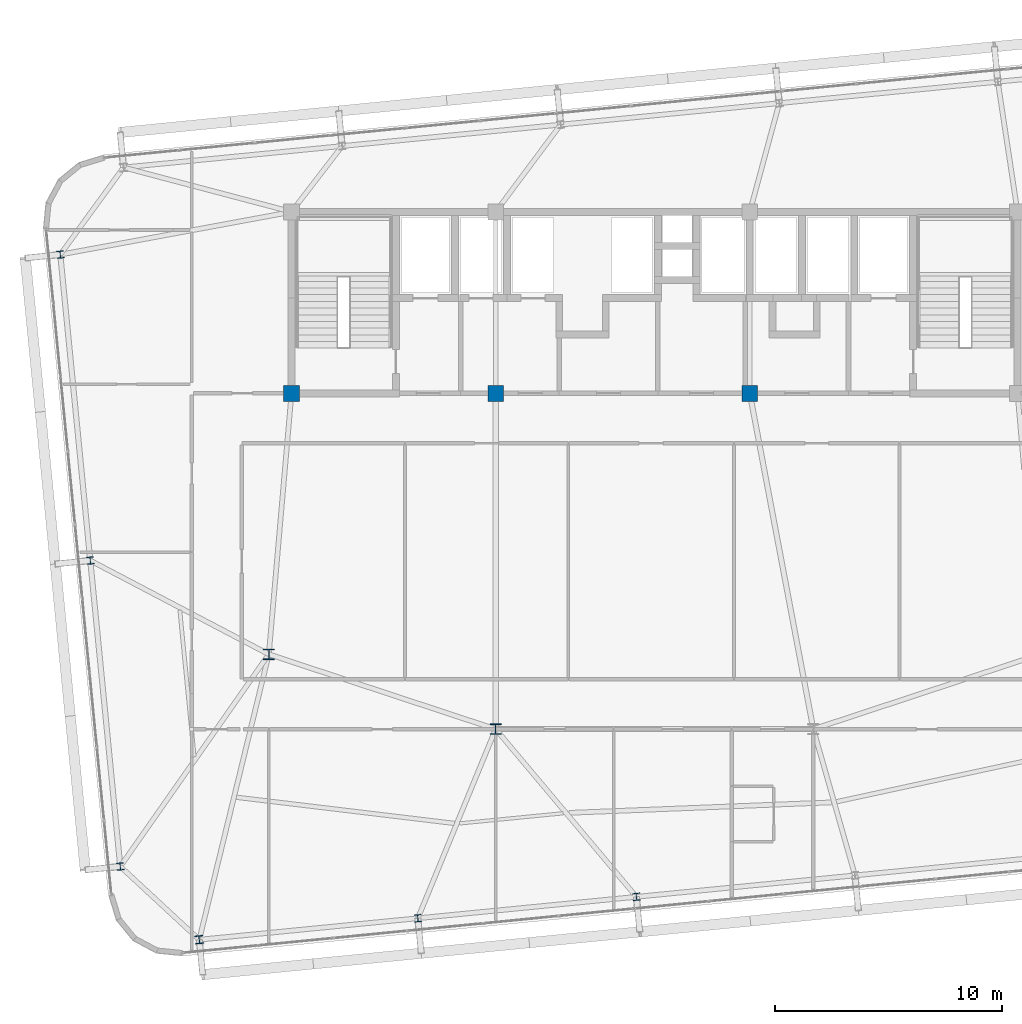
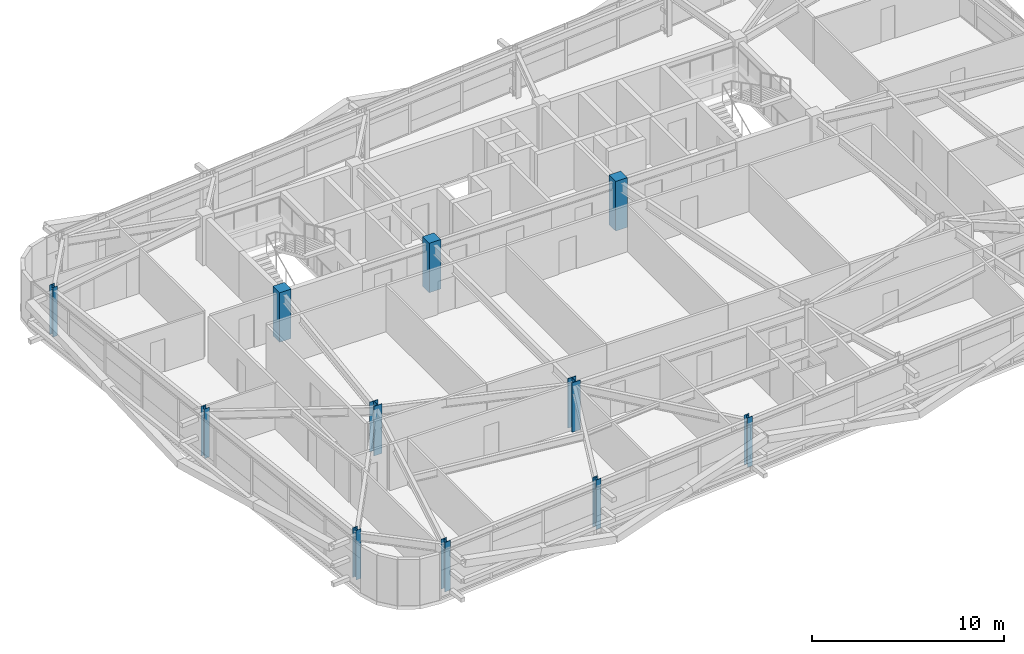
# One storey, part 1 of 52: 11 columns.
"""IFC4 building model written with IfcOpenShell, lengths in metres."""

from ifc_helpers import new_model, si_unit, direction, frame, origin, origin_2d, place, context, subcontext, project, spatial, rectangle, i_section, extrude, source, transform, mapped, material, material_profile, profile_set, type_object, element, save


model = new_model("IFC4")

# Units and contexts
model_context = context("Model", 3, precision=1e-05, world=origin(), true_north=direction((0.0, 1.0)))
body_context = subcontext(model_context, "Body", "Model", "MODEL_VIEW")
ifc_project = project(units=[si_unit("LENGTHUNIT", "METRE"), si_unit("AREAUNIT", "SQUARE_METRE"), si_unit("VOLUMEUNIT", "CUBIC_METRE"), si_unit("PLANEANGLEUNIT", "RADIAN"), si_unit("MASSUNIT", "GRAM", prefix="KILO")], contexts=[model_context])

# Site, building, storey
site_placement = place(None, origin())
site = spatial("IfcSite", under=ifc_project, at=site_placement, CompositionType="ELEMENT")
building_placement = place(site_placement, origin())
building = spatial("IfcBuilding", under=site, at=building_placement, Name="Taldren Reach Tower", CompositionType="ELEMENT")
storey_placement = place(building_placement, frame((0.0, 0.0, 96.60009765625)))
storey = spatial("IfcBuildingStorey", under=building, at=storey_placement, Name="L29", CompositionType="ELEMENT", Elevation=96.60009765625)

# Columns
ifc_material_1 = material(Name="Steel Gr 350 (350PLUS)", Category="steel")
ifc_material_profile_1 = material_profile(ifc_material_1, i_section(OverallWidth=0.5, OverallDepth=0.464111328125, WebThickness=0.02197265625, FlangeThickness=0.033935546875, at=origin_2d()), Name="500WC340")
ifc_profile_set_1 = profile_set([ifc_material_profile_1], Name="Steel Gr 350 (350PLUS)")
column_type_1 = type_object("IfcColumnType", Name="COL-WC500B", PredefinedType="COLUMN", material=ifc_profile_set_1)
shared_shape_1 = source(origin(), body_context, "Body", "SweptSolid", [
    extrude(i_section(OverallWidth=0.5, OverallDepth=0.464111328125, WebThickness=0.02197265625, FlangeThickness=0.033935546875, at=origin_2d()), origin(), (0.0, 0.0, 1.0), 3.14990234375),
])
for number, where, z_axis, x_axis, name in (
    (1, (28.0, 9.199951171875, 0.0), (0.0, 0.0, 1.0), (1.0, 0.0, 0.0), "Mega column MC-PJW L29"),
    (2, (18.0, 12.5, 0.0), (0.0, 0.0, 1.0), (1.0, 0.0, 0.0), "Mega column MC-SW L29"),
):
    element("IfcColumn", number, at=place(storey_placement, frame(where, z_axis=z_axis, x_axis=x_axis)), inside=storey, type_object=column_type_1, Name=name, PredefinedType="COLUMN", context=body_context, shape_type="MappedRepresentation", body=[
        mapped(shared_shape_1, transform((0.0, 0.0, 0.0), scale=1.0)),
    ])
ifc_material_2 = material(Name="Concrete S65 (65 MPa)", Category="concrete")
ifc_material_profile_2 = material_profile(ifc_material_2, rectangle(XDim=0.699951171875, YDim=0.699951171875, at=origin_2d()), Name="RC-700x700")
ifc_profile_set_2 = profile_set([ifc_material_profile_2], Name="Concrete S65 (65 MPa)")
column_type_2 = type_object("IfcColumnType", Name="COL-RC700", PredefinedType="COLUMN", material=ifc_profile_set_2)
shared_shape_2 = source(origin(), body_context, "Body", "SweptSolid", [
    extrude(rectangle(XDim=0.699951171875, YDim=0.699951171875, at=origin_2d()), origin(), (0.0, 0.0, 1.0), 3.14990234375),
])
for number, where, z_axis, x_axis, name in (
    (3, (19.0, 24.0, 0.0), (0.0, 0.0, 1.0), (1.0, 0.0, 0.0), "Mega column MC-C1 L29"),
    (4, (28.0, 24.0, 0.0), (0.0, 0.0, 1.0), (1.0, 0.0, 0.0), "Mega column MC-C2 L29"),
    (5, (39.199951171875, 24.0, 0.0), (0.0, 0.0, 1.0), (1.0, 0.0, 0.0), "Mega column MC-C3 L29"),
):
    element("IfcColumn", number, at=place(storey_placement, frame(where, z_axis=z_axis, x_axis=x_axis)), inside=storey, type_object=column_type_2, Name=name, PredefinedType="COLUMN", context=body_context, shape_type="MappedRepresentation", body=[
        mapped(shared_shape_2, transform((0.0, 0.0, 0.0), scale=1.0)),
    ])
ifc_material_profile_3 = material_profile(ifc_material_1, i_section(OverallWidth=0.35009765625, OverallDepth=0.35595703125, WebThickness=0.01806640625, FlangeThickness=0.028076171875, at=origin_2d()), Name="350WC197")
ifc_profile_set_3 = profile_set([ifc_material_profile_3], Name="Steel Gr 350 (350PLUS)")
column_type_3 = type_object("IfcColumnType", Name="COL-WC350", PredefinedType="COLUMN", material=ifc_profile_set_3)
shared_shape_3 = source(origin(), body_context, "Body", "SweptSolid", [
    extrude(i_section(OverallWidth=0.35009765625, OverallDepth=0.35595703125, WebThickness=0.01806640625, FlangeThickness=0.028076171875, at=origin_2d()), origin(), (0.0, 0.0, 1.0), 3.14990234375),
])
column_placement = place(storey_placement, frame((14.93408203125, -0.079833984375, 0.0), z_axis=(0.0, 0.0, 1.0), x_axis=(0.995227399982, 0.097582899759, 0.0)))
element("IfcColumn", 6, at=column_placement, inside=storey, type_object=column_type_3, Name="Block B2 perimeter column S1 L29", PredefinedType="COLUMN", context=body_context, shape_type="MappedRepresentation", body=[
    mapped(shared_shape_3, transform((0.0, 0.0, 0.0), scale=1.0)),
])
ifc_material_profile_4 = material_profile(ifc_material_1, i_section(OverallWidth=0.306884765625, OverallDepth=0.31494140625, WebThickness=0.011962890625, FlangeThickness=0.018798828125, at=origin_2d()), Name="310UC118")
ifc_profile_set_4 = profile_set([ifc_material_profile_4], Name="Steel Gr 350 (350PLUS)")
column_type_4 = type_object("IfcColumnType", Name="COL-UC310B", PredefinedType="COLUMN", material=ifc_profile_set_4)
shared_shape_4 = source(origin(), body_context, "Body", "SweptSolid", [
    extrude(i_section(OverallWidth=0.306884765625, OverallDepth=0.31494140625, WebThickness=0.011962890625, FlangeThickness=0.018798828125, at=origin_2d()), origin(), (0.0, 0.0, 1.0), 3.14990234375),
])
for number, where, z_axis, x_axis, name in (
    (7, (24.56787109375, 0.86474609375, 0.0), (0.0, 0.0, 1.0), (0.995227399982, 0.097582899759, 0.0), "Block B2 perimeter column S2 L29"),
    (8, (34.20166015625, 1.809326171875, 0.0), (0.0, 0.0, 1.0), (0.995227399982, 0.097582899759, 0.0), "Block B2 perimeter column S3 L29"),
    (9, (11.452880859375, 3.145751953125, 0.0), (0.0, 0.0, 1.0), (0.995227399982, 0.097582899759, 0.0), "Block B2 perimeter column W1 L29"),
    (10, (10.130615234375, 16.631103515625, 0.0), (0.0, 0.0, 1.0), (0.995227399982, 0.097582899759, 0.0), "Block B2 perimeter column W2 L29"),
    (11, (8.808349609375, 30.116455078125, 0.0), (0.0, 0.0, 1.0), (0.995227399982, 0.097582899759, 0.0), "Block B2 perimeter column W3 L29"),
):
    element("IfcColumn", number, at=place(storey_placement, frame(where, z_axis=z_axis, x_axis=x_axis)), inside=storey, type_object=column_type_4, Name=name, PredefinedType="COLUMN", context=body_context, shape_type="MappedRepresentation", body=[
        mapped(shared_shape_4, transform((0.0, 0.0, 0.0), scale=1.0)),
    ])

save(model, "model.ifc")
